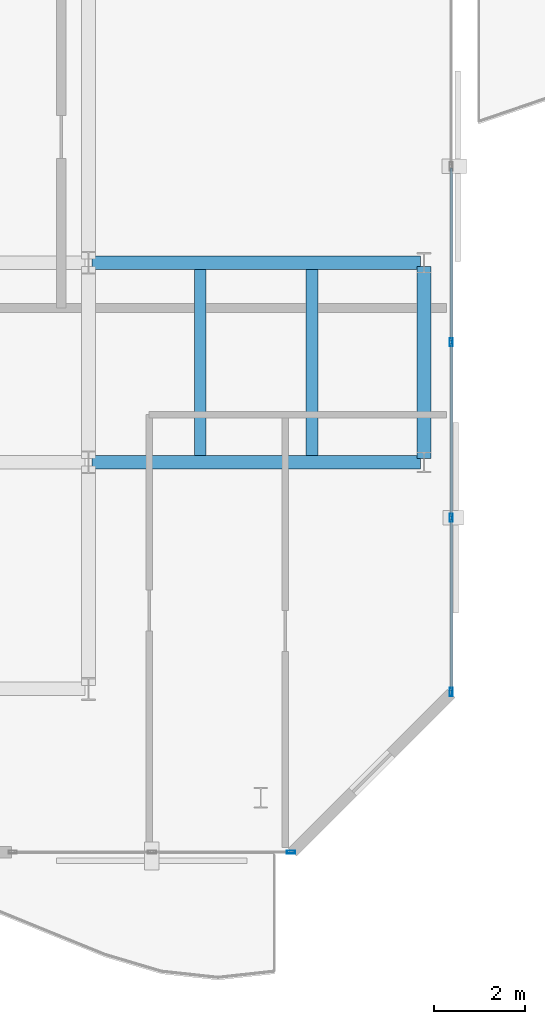
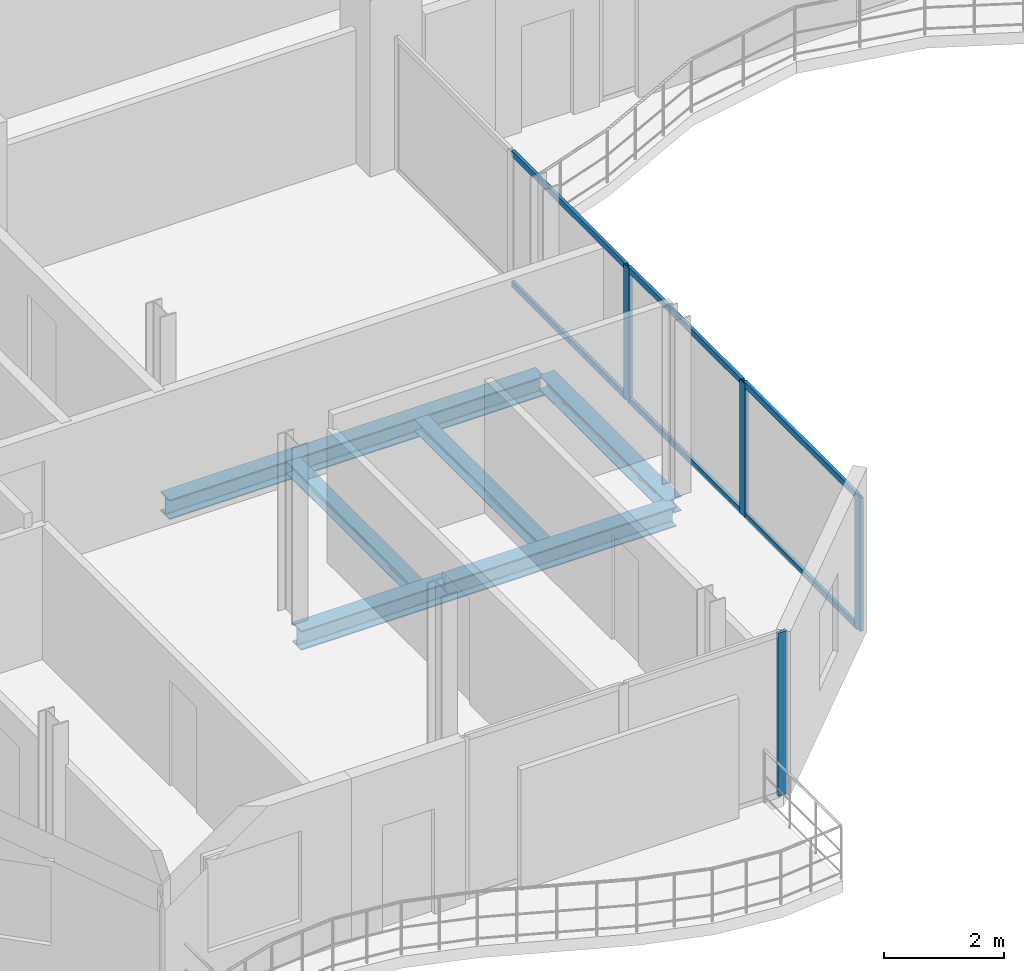
# One storey, part 6 of 23: 10 members, 5 beams, 2 elements without a shape of their own.
"""IFC4 building model written with IfcOpenShell, lengths in metres."""

from ifc_helpers import new_model, si_unit, direction, frame, origin, origin_2d, place, context, subcontext, project, spatial, hollow_rectangle, i_section, extrude, material, layer, layer_set, material_profile, profile_set, type_object, element, aggregate, save


model = new_model("IFC4")

# Units and contexts
model_context = context("Model", 3, precision=1e-05, world=origin(), true_north=direction((0.0, 1.0)))
body_context = subcontext(model_context, "Body", "Model", "MODEL_VIEW")
ifc_project = project(units=[si_unit("LENGTHUNIT", "METRE"), si_unit("AREAUNIT", "SQUARE_METRE"), si_unit("VOLUMEUNIT", "CUBIC_METRE"), si_unit("PLANEANGLEUNIT", "RADIAN"), si_unit("MASSUNIT", "GRAM", prefix="KILO")], contexts=[model_context])

# Site, building, storey
site_placement = place(None, origin())
site = spatial("IfcSite", under=ifc_project, at=site_placement, CompositionType="ELEMENT")
building_placement = place(site_placement, origin())
building = spatial("IfcBuilding", under=site, at=building_placement, Name="Catumbela Crestline Tower", CompositionType="ELEMENT")
storey_placement = place(building_placement, frame((0.0, 0.0, 201.0)))
storey = spatial("IfcBuildingStorey", under=building, at=storey_placement, Name="L52", CompositionType="ELEMENT", Elevation=201.0)

# Beams
ifc_material_1 = material(Name="Structural steel S355J2", Category="steel")
ifc_material_profile_1 = material_profile(ifc_material_1, i_section(OverallWidth=0.3, OverallDepth=0.4, WebThickness=0.0135, FlangeThickness=0.024, FilletRadius=0.027, at=origin_2d()), Name="HEB 400")
ifc_profile_set_1 = profile_set([ifc_material_profile_1], Name="Structural steel S355J2")
beam_type_1 = type_object("IfcBeamType", Name="BG-HEB400", PredefinedType="BEAM", material=ifc_profile_set_1)
for number, where, z_axis, x_axis, name in (
    (1, (16.08, 13.6, -0.46), (1.0, 0.0, 0.0), (0.0, 1.0, 0.0), "L52 Beam BM-L52-WEW34"),
    (2, (16.08, 18.0, -0.46), (1.0, 0.0, 0.0), (0.0, 1.0, 0.0), "L52 Beam BM-L52-WEW36"),
):
    element("IfcBeam", number, at=place(storey_placement, frame(where, z_axis=z_axis, x_axis=x_axis)), inside=storey, type_object=beam_type_1, Name=name, PredefinedType="BEAM", context=body_context, shape_type="SweptSolid", body=[
        extrude(i_section(OverallWidth=0.3, OverallDepth=0.4, WebThickness=0.0135, FlangeThickness=0.024, FilletRadius=0.027, at=origin_2d()), origin(), (0.0, 0.0, 1.0), 7.24),
    ])
ifc_material_profile_2 = material_profile(ifc_material_1, i_section(OverallWidth=0.26, OverallDepth=0.25, WebThickness=0.0075, FlangeThickness=0.0125, FilletRadius=0.024, at=origin_2d()), Name="HEA 260")
ifc_profile_set_2 = profile_set([ifc_material_profile_2], Name="Structural steel S355J2")
beam_type_2 = type_object("IfcBeamType", Name="BJ-HEA260", PredefinedType="JOIST", material=ifc_profile_set_2)
for number, where, z_axis, x_axis, name in (
    (3, (18.467, 13.747, -0.385), (0.0, 1.0, 0.0), (-1.0, 0.0, 0.0), "L52 Joist JS-L52-WG48"),
    (4, (20.933, 13.747, -0.385), (0.0, 1.0, 0.0), (-1.0, 0.0, 0.0), "L52 Joist JS-L52-WG49"),
):
    element("IfcBeam", number, at=place(storey_placement, frame(where, z_axis=z_axis, x_axis=x_axis)), inside=storey, type_object=beam_type_2, Name=name, PredefinedType="JOIST", context=body_context, shape_type="SweptSolid", body=[
        extrude(i_section(OverallWidth=0.26, OverallDepth=0.25, WebThickness=0.0075, FlangeThickness=0.0125, FilletRadius=0.024, at=origin_2d()), origin(), (0.0, 0.0, 1.0), 4.106),
    ])

# Curtain wall, member
ifc_material_2 = material(Name="Aluminium alloy AW-6060-T66", Category="aluminium")
ifc_layer = layer(ifc_material_2, 0.18, Name="Aluminium alloy AW-6060-T66")
ifc_layer_set = layer_set([ifc_layer], Name="Aluminium alloy AW-6060-T66")
curtain_wall_type = type_object("IfcCurtainWallType", Name="CWU-Z3", PredefinedType="USERDEFINED", material=ifc_layer_set)
curtain_wall_1_placement = place(storey_placement, origin())
curtain_wall_1 = element("IfcCurtainWall", 5, at=curtain_wall_1_placement, inside=storey, type_object=curtain_wall_type, Name="L52 Unitised Curtain Wall CW-L52-E0S2", ObjectType="UNITISED", PredefinedType="USERDEFINED")
ifc_material_profile_3 = material_profile(ifc_material_2, hollow_rectangle(XDim=0.065, YDim=0.18, WallThickness=0.004, at=origin_2d()), Name="ALU 180x65x4")
ifc_profile_set_3 = profile_set([ifc_material_profile_3], Name="Aluminium alloy AW-6060-T66")
member_type_1 = type_object("IfcMemberType", Name="MUL-180X65", PredefinedType="MULLION", material=ifc_profile_set_3)
member_1_placement = place(storey_placement, frame((20.4675, 5.0, 0.0), z_axis=(0.0, 0.0, 1.0), x_axis=(0.0, 1.0, 0.0)))
member_1 = element("IfcMember", 6, at=member_1_placement, type_object=member_type_1, Name="CWU-Z3 mullion 3", PredefinedType="MULLION", context=body_context, shape_type="SweptSolid", body=[
    extrude(hollow_rectangle(XDim=0.065, YDim=0.18, WallThickness=0.004, at=origin_2d()), origin(), (0.0, 0.0, 1.0), 3.33),
])
aggregate(curtain_wall_1, [member_1])

# Curtain wall, members
curtain_wall_2_placement = place(storey_placement, origin())
curtain_wall_2 = element("IfcCurtainWall", 7, at=curtain_wall_2_placement, inside=storey, type_object=curtain_wall_type, Name="L52 Unitised Curtain Wall CW-L52-E2S1", ObjectType="UNITISED", PredefinedType="USERDEFINED")
member_2_placement = place(storey_placement, frame((24.0, 8.5325, 0.0), z_axis=(0.0, 0.0, 1.0), x_axis=(-1.0, 0.0, 0.0)))
member_2 = element("IfcMember", 8, at=member_2_placement, type_object=member_type_1, Name="CWU-Z3 mullion 1", PredefinedType="MULLION", context=body_context, shape_type="SweptSolid", body=[
    extrude(hollow_rectangle(XDim=0.065, YDim=0.18, WallThickness=0.004, at=origin_2d()), origin(), (0.0, 0.0, 1.0), 2.72),
])
member_3_placement = place(storey_placement, frame((24.0, 12.375, 0.0), z_axis=(0.0, 0.0, 1.0), x_axis=(-1.0, 0.0, 0.0)))
member_3 = element("IfcMember", 9, at=member_3_placement, type_object=member_type_1, Name="CWU-Z3 mullion 2", PredefinedType="MULLION", context=body_context, shape_type="SweptSolid", body=[
    extrude(hollow_rectangle(XDim=0.065, YDim=0.18, WallThickness=0.004, at=origin_2d()), origin(), (0.0, 0.0, 1.0), 2.72),
])
member_4_placement = place(storey_placement, frame((24.0, 16.25, 0.0), z_axis=(0.0, 0.0, 1.0), x_axis=(-1.0, 0.0, 0.0)))
member_4 = element("IfcMember", 10, at=member_4_placement, type_object=member_type_1, Name="CWU-Z3 mullion 3", PredefinedType="MULLION", context=body_context, shape_type="SweptSolid", body=[
    extrude(hollow_rectangle(XDim=0.065, YDim=0.18, WallThickness=0.004, at=origin_2d()), origin(), (0.0, 0.0, 1.0), 2.72),
])

# Beam
ifc_material_profile_4 = material_profile(ifc_material_1, i_section(OverallWidth=0.3, OverallDepth=0.3, WebThickness=0.011, FlangeThickness=0.019, FilletRadius=0.027, at=origin_2d()), Name="HEB 300")
ifc_profile_set_4 = profile_set([ifc_material_profile_4], Name="Structural steel S355J2")
beam_type_3 = type_object("IfcBeamType", Name="BS-HEB300", PredefinedType="SPANDREL", material=ifc_profile_set_4)
beam_placement = place(storey_placement, frame((23.4, 13.68, -0.41), z_axis=(0.0, 1.0, 0.0), x_axis=(-1.0, 0.0, 0.0)))
element("IfcBeam", 11, at=beam_placement, inside=storey, type_object=beam_type_3, Name="L52 Spandrel SP-L52-WNS43", PredefinedType="SPANDREL", context=body_context, shape_type="SweptSolid", body=[
    extrude(i_section(OverallWidth=0.3, OverallDepth=0.3, WebThickness=0.011, FlangeThickness=0.019, FilletRadius=0.027, at=origin_2d()), origin(), (0.0, 0.0, 1.0), 4.24),
])

# Member
ifc_material_profile_5 = material_profile(ifc_material_2, hollow_rectangle(XDim=0.06, YDim=0.12, WallThickness=0.0035, at=origin_2d()), Name="ALU 120x60x3.5")
ifc_profile_set_5 = profile_set([ifc_material_profile_5], Name="Aluminium alloy AW-6060-T66")
member_type_2 = type_object("IfcMemberType", Name="TRN-120X60", PredefinedType="USERDEFINED", material=ifc_profile_set_5)
member_5_placement = place(storey_placement, frame((24.0, 8.565, 0.03), z_axis=(0.0, 1.0, 0.0), x_axis=(-1.0, 0.0, 0.0)))
member_5 = element("IfcMember", 12, at=member_5_placement, type_object=member_type_2, Name="CWU-Z3 transom 1.1", ObjectType="TRANSOM", PredefinedType="USERDEFINED", context=body_context, shape_type="SweptSolid", body=[
    extrude(hollow_rectangle(XDim=0.06, YDim=0.12, WallThickness=0.0035, at=origin_2d()), origin(), (0.0, 0.0, 1.0), 3.7775),
])

member_6_placement = place(storey_placement, frame((24.0, 8.565, 2.69), z_axis=(0.0, 1.0, 0.0), x_axis=(-1.0, 0.0, 0.0)))
member_6 = element("IfcMember", 13, at=member_6_placement, type_object=member_type_2, Name="CWU-Z3 transom 1.2", ObjectType="TRANSOM", PredefinedType="USERDEFINED", context=body_context, shape_type="SweptSolid", body=[
    extrude(hollow_rectangle(XDim=0.06, YDim=0.12, WallThickness=0.0035, at=origin_2d()), origin(), (0.0, 0.0, 1.0), 3.7775),
])

member_7_placement = place(storey_placement, frame((24.0, 12.4075, 0.03), z_axis=(0.0, 1.0, 0.0), x_axis=(-1.0, 0.0, 0.0)))
member_7 = element("IfcMember", 14, at=member_7_placement, type_object=member_type_2, Name="CWU-Z3 transom 2.1", ObjectType="TRANSOM", PredefinedType="USERDEFINED", context=body_context, shape_type="SweptSolid", body=[
    extrude(hollow_rectangle(XDim=0.06, YDim=0.12, WallThickness=0.0035, at=origin_2d()), origin(), (0.0, 0.0, 1.0), 3.81),
])

member_8_placement = place(storey_placement, frame((24.0, 12.4075, 2.69), z_axis=(0.0, 1.0, 0.0), x_axis=(-1.0, 0.0, 0.0)))
member_8 = element("IfcMember", 15, at=member_8_placement, type_object=member_type_2, Name="CWU-Z3 transom 2.2", ObjectType="TRANSOM", PredefinedType="USERDEFINED", context=body_context, shape_type="SweptSolid", body=[
    extrude(hollow_rectangle(XDim=0.06, YDim=0.12, WallThickness=0.0035, at=origin_2d()), origin(), (0.0, 0.0, 1.0), 3.81),
])

member_9_placement = place(storey_placement, frame((24.0, 16.2825, 0.03), z_axis=(0.0, 1.0, 0.0), x_axis=(-1.0, 0.0, 0.0)))
member_9 = element("IfcMember", 16, at=member_9_placement, type_object=member_type_2, Name="CWU-Z3 transom 3.1", ObjectType="TRANSOM", PredefinedType="USERDEFINED", context=body_context, shape_type="SweptSolid", body=[
    extrude(hollow_rectangle(XDim=0.06, YDim=0.12, WallThickness=0.0035, at=origin_2d()), origin(), (0.0, 0.0, 1.0), 3.81),
])

member_10_placement = place(storey_placement, frame((24.0, 16.2825, 2.69), z_axis=(0.0, 1.0, 0.0), x_axis=(-1.0, 0.0, 0.0)))
member_10 = element("IfcMember", 17, at=member_10_placement, type_object=member_type_2, Name="CWU-Z3 transom 3.2", ObjectType="TRANSOM", PredefinedType="USERDEFINED", context=body_context, shape_type="SweptSolid", body=[
    extrude(hollow_rectangle(XDim=0.06, YDim=0.12, WallThickness=0.0035, at=origin_2d()), origin(), (0.0, 0.0, 1.0), 3.81),
])

aggregate(curtain_wall_2, [member_2, member_3, member_4, member_5, member_6, member_7, member_8, member_9, member_10])

save(model, "model.ifc")
